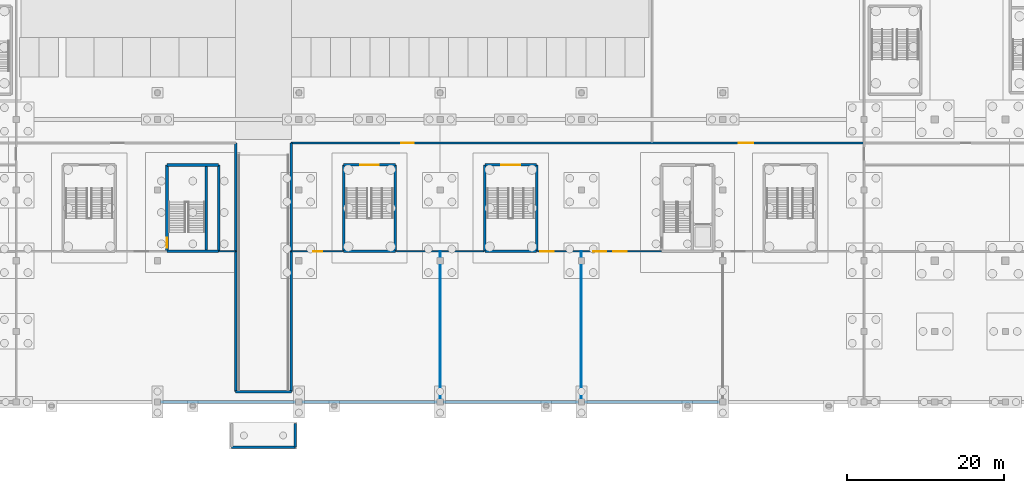
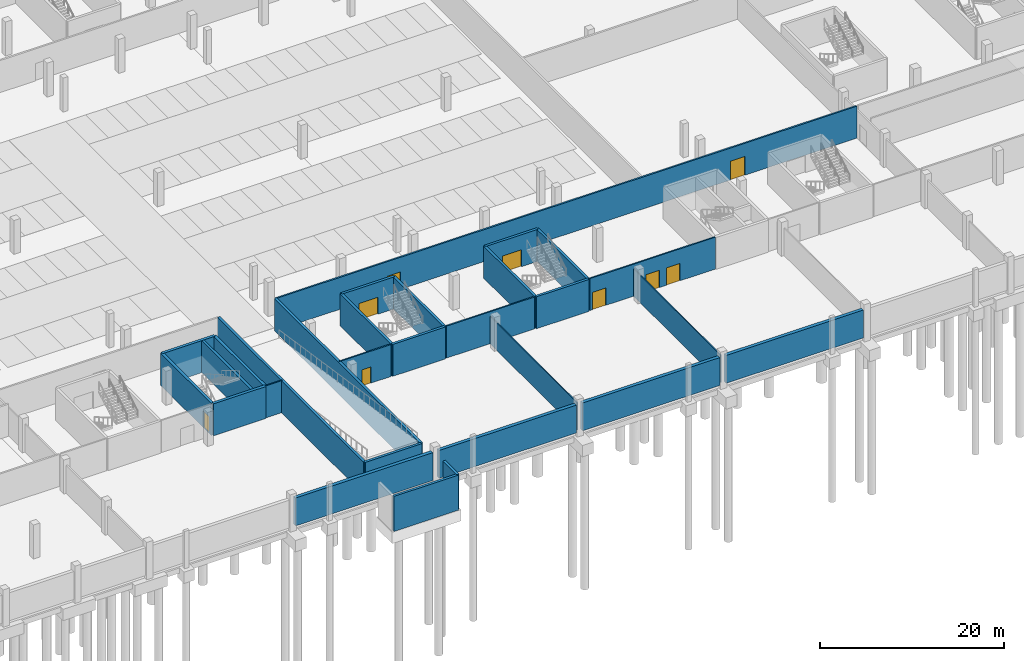
# One storey, part 16 of 46: 29 walls, 9 doors, 9 openings.
"""IFC4 building model written with IfcOpenShell, lengths in metres."""

from ifc_helpers import new_model, si_unit, direction, frame, frame_2d, origin, place, context, subcontext, project, spatial, rectangle, extrude, material, layer, layer_set, type_object, element, fill, save


model = new_model("IFC4")

# Units and contexts
model_context = context("Model", 3, precision=1e-05, world=origin(), true_north=direction((0.0, 1.0)))
body_context = subcontext(model_context, "Body", "Model", "MODEL_VIEW")
ifc_project = project(units=[si_unit("LENGTHUNIT", "METRE"), si_unit("AREAUNIT", "SQUARE_METRE"), si_unit("VOLUMEUNIT", "CUBIC_METRE"), si_unit("PLANEANGLEUNIT", "RADIAN"), si_unit("MASSUNIT", "GRAM", prefix="KILO")], contexts=[model_context])

# Site, building, storey
site_placement = place(None, origin())
site = spatial("IfcSite", under=ifc_project, at=site_placement, CompositionType="ELEMENT")
building_placement = place(site_placement, origin())
building = spatial("IfcBuilding", under=site, at=building_placement, Name="Kisiwana Market Hall", CompositionType="ELEMENT")
storey_placement = place(building_placement, frame((0.0, 0.0, -4.5)))
storey = spatial("IfcBuildingStorey", under=building, at=storey_placement, Name="B1", CompositionType="ELEMENT", Elevation=-4.5)

# Walls
ifc_material_1 = material(Name="Concrete C40/50", Category="concrete")
ifc_layer_1 = layer(ifc_material_1, 0.360107421875, Name="Waterproofed RC retaining wall")
ifc_material_2 = material(Name="Mineral wool insulation")
ifc_layer_2 = layer(ifc_material_2, 0.06005859375, Name="XPS drainage protection board")
ifc_layer_set_1 = layer_set([ifc_layer_1, ifc_layer_2], Name="WL-B1-RET-420")
wall_type_1 = type_object("IfcWallType", Name="WL-B1-RET-420", PredefinedType="STANDARD", material=ifc_layer_set_1)
for number, where, z_axis, x_axis, name in (
    (1, (63.39208984375, 0.0, 0.0), (0.0, 0.0, 1.0), (1.0, 0.0, 0.0), "Exterior wall W-0160"),
    (2, (81.39208984375, 0.0, 0.0), (0.0, 0.0, 1.0), (1.0, 0.0, 0.0), "Exterior wall W-0161"),
    (3, (99.39208984375, 0.0, 0.0), (0.0, 0.0, 1.0), (1.0, 0.0, 0.0), "Exterior wall W-0162"),
    (4, (117.39208984375, 0.0, 0.0), (0.0, 0.0, 1.0), (1.0, 0.0, 0.0), "Exterior wall W-0163"),
):
    element("IfcWall", number, at=place(storey_placement, frame(where, z_axis=z_axis, x_axis=x_axis)), inside=storey, type_object=wall_type_1, Name=name, PredefinedType="STANDARD", context=body_context, shape_type="SweptSolid", body=[
        extrude(rectangle(XDim=17.2158203125, YDim=0.419921875, at=frame_2d((8.60791015625, 0.0))), origin(), (0.0, 0.0, 1.0), 3.699951171875),
    ])

# Wall, openings, doors
ifc_material_3 = material(Name="Masonry blockwork", Category="masonry")
ifc_layer_3 = layer(ifc_material_3, 0.199951171875, Name="Plastered fire compartment block wall")
ifc_layer_set_2 = layer_set([ifc_layer_3], Name="WL-COMP-200")
wall_type_2 = type_object("IfcWallType", Name="WL-COMP-200", PredefinedType="PARTITIONING", material=ifc_layer_set_2)
wall_1_placement = place(storey_placement, frame((80.06005859375, 33.0, 0.0), z_axis=(0.0, 0.0, 1.0), x_axis=(1.0, 0.0, 0.0)))
wall_1 = element("IfcWall", 5, at=wall_1_placement, inside=storey, type_object=wall_type_2, Name="Interior partition W-0283", PredefinedType="PARTITIONING", context=body_context, shape_type="SweptSolid", body=[
    extrude(rectangle(XDim=72.85498046875, YDim=0.199951171875, at=frame_2d((36.427490234375, 0.0))), origin(), (0.0, 0.0, 1.0), 4.239990234375),
])
opening_1_placement = place(wall_1_placement, frame((14.0, 0.0, 0.0)))
opening_1 = element("IfcOpeningElement", 6, at=opening_1_placement, cuts=wall_1, Name="Opening DR-B1-086", PredefinedType="OPENING", context=body_context, shape_type="SweptSolid", body=[
    extrude(rectangle(XDim=1.60009765625, YDim=2.300048828125, at=frame_2d((0.800048828125, 1.14990234375))), frame((0.0, 0.11181640625, 0.0), z_axis=(0.0, -1.0, 0.0), x_axis=(1.0, 0.0, 0.0)), (0.0, 0.0, 1.0), 0.223876953125),
])
opening_2_placement = place(wall_1_placement, frame((57.0, 0.0, 0.0)))
opening_2 = element("IfcOpeningElement", 7, at=opening_2_placement, cuts=wall_1, Name="Opening DR-B1-087", PredefinedType="OPENING", context=body_context, shape_type="SweptSolid", body=[
    extrude(rectangle(XDim=1.800048828125, YDim=2.5, at=frame_2d((0.89990234375, 1.25))), frame((0.0, 0.11181640625, 0.0), z_axis=(0.0, -1.0, 0.0), x_axis=(1.0, 0.0, 0.0)), (0.0, 0.0, 1.0), 0.223876953125),
])
ifc_material_4 = material(Name="Steel S275", Category="steel")
door_type_1 = type_object("IfcDoorType", Name="DR-COLD-FD60-1800", OperationType="SLIDING_TO_LEFT", PredefinedType="DOOR", material=ifc_material_4)
door_1_placement = place(opening_2_placement, origin())
door_1 = element("IfcDoor", 8, at=door_1_placement, inside=storey, type_object=door_type_1, Name="B1 Frozen Meat Cold Store Door", OperationType="SLIDING_TO_LEFT", OverallHeight=2.5, OverallWidth=1.800048828125, PredefinedType="DOOR", context=body_context, shape_type="SweptSolid", body=[
    extrude(rectangle(XDim=1.800048828125, YDim=2.5, at=frame_2d((0.89990234375, 1.25))), frame((0.0, 0.02490234375, 0.0), z_axis=(0.0, -1.0, 0.0), x_axis=(1.0, 0.0, 0.0)), (0.0, 0.0, 1.0), 0.050048828125),
])
fill(opening_2, door_1)
ifc_material_5 = material(Name="Steel S275", Category="steel")
door_type_2 = type_object("IfcDoorType", Name="DR-PLANT-FD120-1600", OperationType="DOUBLE_DOOR_SINGLE_SWING", PredefinedType="DOOR", material=ifc_material_5)
door_2_placement = place(opening_1_placement, origin())
door_2 = element("IfcDoor", 9, at=door_2_placement, inside=storey, type_object=door_type_2, Name="B1 Car Park SE Lobby Door", OperationType="DOUBLE_DOOR_SINGLE_SWING", OverallHeight=2.300048828125, OverallWidth=1.60009765625, PredefinedType="DOOR", context=body_context, shape_type="SweptSolid", body=[
    extrude(rectangle(XDim=1.60009765625, YDim=2.300048828125, at=frame_2d((0.800048828125, 1.14990234375))), frame((0.0, 0.02490234375, 0.0), z_axis=(0.0, -1.0, 0.0), x_axis=(1.0, 0.0, 0.0)), (0.0, 0.0, 1.0), 0.050048828125),
])
fill(opening_1, door_2)

# Walls
ifc_material_6 = material(Name="Concrete C40/50", Category="concrete")
ifc_layer_4 = layer(ifc_material_6, 0.320068359375, Name="Reinforced concrete shaft wall")
ifc_layer_set_3 = layer_set([ifc_layer_4], Name="WL-CORE-320")
wall_type_3 = type_object("IfcWallType", Name="WL-CORE-320", PredefinedType="SHEAR", material=ifc_layer_set_3)
wall_2_placement = place(storey_placement, frame((80.550048828125, -5.75, -0.449951171875), z_axis=(0.0, 0.0, 1.0), x_axis=(0.0, 1.0, 0.0)))
element("IfcWall", 10, at=wall_2_placement, inside=storey, type_object=wall_type_3, Name="Vehicle apron support wall E W-0293", PredefinedType="SHEAR", context=body_context, shape_type="SweptSolid", body=[
    extrude(rectangle(XDim=3.0, YDim=0.320068359375, at=frame_2d((1.5, 0.0))), origin(), (0.0, 0.0, 1.0), 4.64990234375),
])
wall_3_placement = place(storey_placement, frame((72.449951171875, -5.75, -0.449951171875), z_axis=(0.0, 0.0, 1.0), x_axis=(1.0, 0.0, 0.0)))
element("IfcWall", 11, at=wall_3_placement, inside=storey, type_object=wall_type_3, Name="Vehicle apron support wall S W-0294", PredefinedType="SHEAR", context=body_context, shape_type="SweptSolid", body=[
    extrude(rectangle(XDim=8.10009765625, YDim=0.320068359375, at=frame_2d((4.050048828125, 0.0))), origin(), (0.0, 0.0, 1.0), 4.64990234375),
])
for number, where, z_axis, x_axis, name in (
    (12, (72.93994140625, 1.340087890625, 0.0), (0.0, 0.0, 1.0), (0.0, 1.0, 0.0), "B1 vehicle ramp structural wall W W-0334"),
    (13, (80.06005859375, 1.340087890625, 0.0), (0.0, 0.0, 1.0), (0.0, 1.0, 0.0), "B1 vehicle ramp structural wall E W-0332"),
):
    element("IfcWall", number, at=place(storey_placement, frame(where, z_axis=z_axis, x_axis=x_axis)), inside=storey, type_object=wall_type_3, Name=name, PredefinedType="SHEAR", context=body_context, shape_type="SweptSolid", body=[
        extrude(rectangle(XDim=31.659912109375, YDim=0.320068359375, at=frame_2d((15.830078125, 0.0))), origin(), (0.0, 0.0, 1.0), 4.239990234375),
    ])
wall_4_placement = place(storey_placement, frame((72.93994140625, 1.340087890625, 0.0), z_axis=(0.0, 0.0, 1.0), x_axis=(1.0, 0.0, 0.0)))
element("IfcWall", 14, at=wall_4_placement, inside=storey, type_object=wall_type_3, Name="B1 vehicle ramp structural wall HEAD W-0333", PredefinedType="SHEAR", context=body_context, shape_type="SweptSolid", body=[
    extrude(rectangle(XDim=7.1201171875, YDim=0.320068359375, at=frame_2d((3.56005859375, 0.0))), origin(), (0.0, 0.0, 1.0), 4.239990234375),
])
wall_5_placement = place(storey_placement, frame((69.239990234375, 19.3798828125, 0.0), z_axis=(0.0, 0.0, 1.0), x_axis=(0.0, 1.0, 0.0)))
element("IfcWall", 15, at=wall_5_placement, inside=storey, type_object=wall_type_3, Name="Core S1 shaft divider W-0041", PredefinedType="SHEAR", context=body_context, shape_type="SweptSolid", body=[
    extrude(rectangle(XDim=10.64013671875, YDim=0.320068359375, at=frame_2d((5.320068359375, 0.0))), origin(), (0.0, 0.0, 1.0), 4.239990234375),
])
wall_6_placement = place(storey_placement, frame((86.699951171875, 19.199951171875, 0.0), z_axis=(0.0, 0.0, 1.0), x_axis=(1.0, 0.0, 0.0)))
element("IfcWall", 16, at=wall_6_placement, inside=storey, type_object=wall_type_3, Name="Core S4 outer shear wall W-0131", PredefinedType="SHEAR", context=body_context, shape_type="SweptSolid", body=[
    extrude(rectangle(XDim=6.60009765625, YDim=0.320068359375, at=frame_2d((3.300048828125, 0.0))), origin(), (0.0, 0.0, 1.0), 4.239990234375),
])

# Wall, opening, door
wall_7_placement = place(storey_placement, frame((86.699951171875, 30.199951171875, 0.0), z_axis=(0.0, 0.0, 1.0), x_axis=(1.0, 0.0, 0.0)))
wall_7 = element("IfcWall", 17, at=wall_7_placement, inside=storey, type_object=wall_type_3, Name="Core S4 corridor shear wall W-0132", PredefinedType="SHEAR", context=body_context, shape_type="SweptSolid", body=[
    extrude(rectangle(XDim=6.60009765625, YDim=0.320068359375, at=frame_2d((3.300048828125, 0.0))), origin(), (0.0, 0.0, 1.0), 4.239990234375),
])
opening_3_placement = place(wall_7_placement, frame((2.10009765625, 0.0, 0.0)))
opening_3 = element("IfcOpeningElement", 18, at=opening_3_placement, cuts=wall_7, Name="Opening DR-B1-035", PredefinedType="OPENING", context=body_context, shape_type="SweptSolid", body=[
    extrude(rectangle(XDim=2.39990234375, YDim=2.25, at=frame_2d((1.199951171875, 1.125))), frame((0.0, 0.171875, 0.0), z_axis=(0.0, -1.0, 0.0), x_axis=(1.0, 0.0, 0.0)), (0.0, 0.0, 1.0), 0.343994140625),
])
ifc_material_7 = material(Name="Steel S275", Category="steel")
door_type_3 = type_object("IfcDoorType", Name="DR-STAIR-FD120-2400", OperationType="DOUBLE_DOOR_SINGLE_SWING", PredefinedType="DOOR", material=ifc_material_7)
door_3_placement = place(opening_3_placement, frame((2.39990234375, 0.0, 0.0), z_axis=(0.0, 0.0, 1.0), x_axis=(-1.0, 0.0, 0.0)))
door_3 = element("IfcDoor", 19, at=door_3_placement, inside=storey, type_object=door_type_3, Name="Escape Stair S4 Fire Door (B1)", OperationType="DOUBLE_DOOR_SINGLE_SWING", OverallHeight=2.25, OverallWidth=2.39990234375, PredefinedType="DOOR", context=body_context, shape_type="SweptSolid", body=[
    extrude(rectangle(XDim=2.39990234375, YDim=2.25, at=frame_2d((1.199951171875, 1.125))), frame((0.0, 0.02490234375, 0.0), z_axis=(0.0, -1.0, 0.0), x_axis=(1.0, 0.0, 0.0)), (0.0, 0.0, 1.0), 0.050048828125),
])
fill(opening_3, door_3)

# Walls
for number, where, z_axis, x_axis, name in (
    (20, (86.699951171875, 19.199951171875, 0.0), (0.0, 0.0, 1.0), (0.0, 1.0, 0.0), "Core S4 west shear wall W-0133"),
    (21, (93.300048828125, 19.199951171875, 0.0), (0.0, 0.0, 1.0), (0.0, 1.0, 0.0), "Core S4 east shear wall W-0134"),
):
    element("IfcWall", number, at=place(storey_placement, frame(where, z_axis=z_axis, x_axis=x_axis)), inside=storey, type_object=wall_type_3, Name=name, PredefinedType="SHEAR", context=body_context, shape_type="SweptSolid", body=[
        extrude(rectangle(XDim=11.0, YDim=0.320068359375, at=frame_2d((5.5, 0.0))), origin(), (0.0, 0.0, 1.0), 4.239990234375),
    ])
wall_8_placement = place(storey_placement, frame((104.699951171875, 19.199951171875, 0.0), z_axis=(0.0, 0.0, 1.0), x_axis=(1.0, 0.0, 0.0)))
element("IfcWall", 22, at=wall_8_placement, inside=storey, type_object=wall_type_3, Name="Core S5 outer shear wall W-0139", PredefinedType="SHEAR", context=body_context, shape_type="SweptSolid", body=[
    extrude(rectangle(XDim=6.60009765625, YDim=0.320068359375, at=frame_2d((3.300048828125, 0.0))), origin(), (0.0, 0.0, 1.0), 4.239990234375),
])

# Wall, opening, door
wall_9_placement = place(storey_placement, frame((104.699951171875, 30.199951171875, 0.0), z_axis=(0.0, 0.0, 1.0), x_axis=(1.0, 0.0, 0.0)))
wall_9 = element("IfcWall", 23, at=wall_9_placement, inside=storey, type_object=wall_type_3, Name="Core S5 corridor shear wall W-0140", PredefinedType="SHEAR", context=body_context, shape_type="SweptSolid", body=[
    extrude(rectangle(XDim=6.60009765625, YDim=0.320068359375, at=frame_2d((3.300048828125, 0.0))), origin(), (0.0, 0.0, 1.0), 4.239990234375),
])
opening_4_placement = place(wall_9_placement, frame((2.10009765625, 0.0, 0.0)))
opening_4 = element("IfcOpeningElement", 24, at=opening_4_placement, cuts=wall_9, Name="Opening DR-B1-037", PredefinedType="OPENING", context=body_context, shape_type="SweptSolid", body=[
    extrude(rectangle(XDim=2.39990234375, YDim=2.25, at=frame_2d((1.199951171875, 1.125))), frame((0.0, 0.171875, 0.0), z_axis=(0.0, -1.0, 0.0), x_axis=(1.0, 0.0, 0.0)), (0.0, 0.0, 1.0), 0.343994140625),
])
door_4_placement = place(opening_4_placement, frame((2.39990234375, 0.0, 0.0), z_axis=(0.0, 0.0, 1.0), x_axis=(-1.0, 0.0, 0.0)))
door_4 = element("IfcDoor", 25, at=door_4_placement, inside=storey, type_object=door_type_3, Name="Escape Stair S5 Fire Door (B1)", OperationType="DOUBLE_DOOR_SINGLE_SWING", OverallHeight=2.25, OverallWidth=2.39990234375, PredefinedType="DOOR", context=body_context, shape_type="SweptSolid", body=[
    extrude(rectangle(XDim=2.39990234375, YDim=2.25, at=frame_2d((1.199951171875, 1.125))), frame((0.0, 0.02490234375, 0.0), z_axis=(0.0, -1.0, 0.0), x_axis=(1.0, 0.0, 0.0)), (0.0, 0.0, 1.0), 0.050048828125),
])
fill(opening_4, door_4)

# Walls
for number, where, z_axis, x_axis, name in (
    (26, (104.699951171875, 19.199951171875, 0.0), (0.0, 0.0, 1.0), (0.0, 1.0, 0.0), "Core S5 west shear wall W-0141"),
    (27, (111.300048828125, 19.199951171875, 0.0), (0.0, 0.0, 1.0), (0.0, 1.0, 0.0), "Core S5 east shear wall W-0142"),
):
    element("IfcWall", number, at=place(storey_placement, frame(where, z_axis=z_axis, x_axis=x_axis)), inside=storey, type_object=wall_type_3, Name=name, PredefinedType="SHEAR", context=body_context, shape_type="SweptSolid", body=[
        extrude(rectangle(XDim=11.0, YDim=0.320068359375, at=frame_2d((5.5, 0.0))), origin(), (0.0, 0.0, 1.0), 4.239990234375),
    ])
ifc_material_8 = material(Name="Concrete C40/50", Category="concrete")
ifc_layer_5 = layer(ifc_material_8, 0.360107421875, Name="Reinforced concrete core wall")
ifc_layer_set_4 = layer_set([ifc_layer_5], Name="WL-CORE-360")
wall_type_4 = type_object("IfcWallType", Name="WL-CORE-360", PredefinedType="SHEAR", material=ifc_layer_set_4)
for number, where, z_axis, x_axis, name in (
    (28, (64.199951171875, 19.199951171875, 0.0), (0.0, 0.0, 1.0), (1.0, 0.0, 0.0), "Core S1 south wall W-0037"),
    (29, (64.199951171875, 30.199951171875, 0.0), (0.0, 0.0, 1.0), (1.0, 0.0, 0.0), "Core S1 north wall W-0038"),
):
    element("IfcWall", number, at=place(storey_placement, frame(where, z_axis=z_axis, x_axis=x_axis)), inside=storey, type_object=wall_type_4, Name=name, PredefinedType="SHEAR", context=body_context, shape_type="SweptSolid", body=[
        extrude(rectangle(XDim=6.60009765625, YDim=0.360107421875, at=frame_2d((3.300048828125, 0.0))), origin(), (0.0, 0.0, 1.0), 4.239990234375),
    ])

# Wall, opening, door
wall_10_placement = place(storey_placement, frame((64.199951171875, 19.199951171875, 0.0), z_axis=(0.0, 0.0, 1.0), x_axis=(0.0, 1.0, 0.0)))
wall_10 = element("IfcWall", 30, at=wall_10_placement, inside=storey, type_object=wall_type_4, Name="Core S1 west wall W-0039", PredefinedType="SHEAR", context=body_context, shape_type="SweptSolid", body=[
    extrude(rectangle(XDim=11.0, YDim=0.360107421875, at=frame_2d((5.5, 0.0))), origin(), (0.0, 0.0, 1.0), 4.239990234375),
])
opening_5_placement = place(wall_10_placement, frame((0.449951171875, 0.0, 0.0)))
opening_5 = element("IfcOpeningElement", 31, at=opening_5_placement, cuts=wall_10, Name="Opening DR-B1-013", PredefinedType="OPENING", context=body_context, shape_type="SweptSolid", body=[
    extrude(rectangle(XDim=1.300048828125, YDim=2.199951171875, at=frame_2d((0.64990234375, 1.10009765625))), frame((0.0, 0.19189453125, 0.0), z_axis=(0.0, -1.0, 0.0), x_axis=(1.0, 0.0, 0.0)), (0.0, 0.0, 1.0), 0.384033203125),
])
ifc_material_9 = material(Name="Steel S275", Category="steel")
door_type_4 = type_object("IfcDoorType", Name="DR-STAIR-FD120-1300", OperationType="NOTDEFINED", PredefinedType="DOOR", material=ifc_material_9)
door_5_placement = place(opening_5_placement, origin())
door_5 = element("IfcDoor", 32, at=door_5_placement, inside=storey, type_object=door_type_4, Name="Podium Escape Stair S1 Fire Door (B1)", OperationType="SINGLE_SWING_LEFT", OverallHeight=2.199951171875, OverallWidth=1.300048828125, PredefinedType="DOOR", context=body_context, shape_type="SweptSolid", body=[
    extrude(rectangle(XDim=1.300048828125, YDim=2.199951171875, at=frame_2d((0.64990234375, 1.10009765625))), frame((0.0, 0.02490234375, 0.0), z_axis=(0.0, -1.0, 0.0), x_axis=(1.0, 0.0, 0.0)), (0.0, 0.0, 1.0), 0.050048828125),
])
fill(opening_5, door_5)

# Walls
wall_11_placement = place(storey_placement, frame((70.800048828125, 19.199951171875, 0.0), z_axis=(0.0, 0.0, 1.0), x_axis=(0.0, 1.0, 0.0)))
element("IfcWall", 33, at=wall_11_placement, inside=storey, type_object=wall_type_4, Name="Core S1 east wall W-0040", PredefinedType="SHEAR", context=body_context, shape_type="SweptSolid", body=[
    extrude(rectangle(XDim=11.0, YDim=0.360107421875, at=frame_2d((5.5, 0.0))), origin(), (0.0, 0.0, 1.0), 4.239990234375),
])
ifc_material_10 = material(Name="Masonry blockwork", Category="masonry")
ifc_layer_6 = layer(ifc_material_10, 0.169921875, Name="Protected corridor partition")
ifc_layer_set_5 = layer_set([ifc_layer_6], Name="WL-CORR-170")
wall_type_5 = type_object("IfcWallType", Name="WL-CORR-170", PredefinedType="PARTITIONING", material=ifc_layer_set_5)
wall_12_placement = place(storey_placement, frame((70.800048828125, 19.199951171875, 0.0), z_axis=(0.0, 0.0, 1.0), x_axis=(1.0, 0.0, 0.0)))
element("IfcWall", 34, at=wall_12_placement, inside=storey, type_object=wall_type_5, Name="Interior partition W-0274", PredefinedType="PARTITIONING", context=body_context, shape_type="SweptSolid", body=[
    extrude(rectangle(XDim=2.139892578125, YDim=0.169921875, at=frame_2d((1.06982421875, 0.0))), origin(), (0.0, 0.0, 1.0), 4.239990234375),
])

# Wall, opening, door
wall_13_placement = place(storey_placement, frame((80.06005859375, 19.199951171875, 0.0), z_axis=(0.0, 0.0, 1.0), x_axis=(1.0, 0.0, 0.0)))
wall_13 = element("IfcWall", 35, at=wall_13_placement, inside=storey, type_object=wall_type_5, Name="Interior partition W-0275", PredefinedType="PARTITIONING", context=body_context, shape_type="SweptSolid", body=[
    extrude(rectangle(XDim=6.47998046875, YDim=0.169921875, at=frame_2d((3.239990234375, 0.0))), origin(), (0.0, 0.0, 1.0), 4.239990234375),
])
opening_6_placement = place(wall_13_placement, frame((2.7900390625, 0.0, 0.0)))
opening_6 = element("IfcOpeningElement", 36, at=opening_6_placement, cuts=wall_13, Name="Opening DR-B1-080", PredefinedType="OPENING", context=body_context, shape_type="SweptSolid", body=[
    extrude(rectangle(XDim=1.14990234375, YDim=2.14990234375, at=frame_2d((0.574951171875, 1.074951171875))), frame((0.0, 0.096923828125, 0.0), z_axis=(0.0, -1.0, 0.0), x_axis=(1.0, 0.0, 0.0)), (0.0, 0.0, 1.0), 0.19384765625),
])
ifc_material_11 = material(Name="Aluminium alloy 6063-T6", Category="aluminium")
door_type_5 = type_object("IfcDoorType", Name="DR-MEET-1150", OperationType="NOTDEFINED", PredefinedType="DOOR", material=ifc_material_11)
door_6_placement = place(opening_6_placement, origin())
door_6 = element("IfcDoor", 37, at=door_6_placement, inside=storey, type_object=door_type_5, Name="B1 W Lower Ground Retail Shop 03 Door", OperationType="SINGLE_SWING_LEFT", OverallHeight=2.14990234375, OverallWidth=1.14990234375, PredefinedType="DOOR", context=body_context, shape_type="SweptSolid", body=[
    extrude(rectangle(XDim=1.14990234375, YDim=2.14990234375, at=frame_2d((0.574951171875, 1.074951171875))), frame((0.0, 0.02490234375, 0.0), z_axis=(0.0, -1.0, 0.0), x_axis=(1.0, 0.0, 0.0)), (0.0, 0.0, 1.0), 0.050048828125),
])
fill(opening_6, door_6)

# Wall
wall_14_placement = place(storey_placement, frame((93.4599609375, 19.199951171875, 0.0), z_axis=(0.0, 0.0, 1.0), x_axis=(1.0, 0.0, 0.0)))
element("IfcWall", 38, at=wall_14_placement, inside=storey, type_object=wall_type_5, Name="Interior partition W-0276", PredefinedType="PARTITIONING", context=body_context, shape_type="SweptSolid", body=[
    extrude(rectangle(XDim=11.080078125, YDim=0.169921875, at=frame_2d((5.5400390625, 0.0))), origin(), (0.0, 0.0, 1.0), 4.239990234375),
])

# Wall, openings, doors
wall_15_placement = place(storey_placement, frame((111.4599609375, 19.199951171875, 0.0), z_axis=(0.0, 0.0, 1.0), x_axis=(1.0, 0.0, 0.0)))
wall_15 = element("IfcWall", 39, at=wall_15_placement, inside=storey, type_object=wall_type_5, Name="Interior partition W-0277", PredefinedType="PARTITIONING", context=body_context, shape_type="SweptSolid", body=[
    extrude(rectangle(XDim=15.739990234375, YDim=0.169921875, at=frame_2d((7.8701171875, 0.0))), origin(), (0.0, 0.0, 1.0), 4.239990234375),
])
opening_7_placement = place(wall_15_placement, frame((9.60009765625, 0.0, 0.0)))
opening_7 = element("IfcOpeningElement", 40, at=opening_7_placement, cuts=wall_15, Name="Opening DR-B1-081", PredefinedType="OPENING", context=body_context, shape_type="SweptSolid", body=[
    extrude(rectangle(XDim=1.699951171875, YDim=2.300048828125, at=frame_2d((0.85009765625, 1.14990234375))), frame((0.0, 0.096923828125, 0.0), z_axis=(0.0, -1.0, 0.0), x_axis=(1.0, 0.0, 0.0)), (0.0, 0.0, 1.0), 0.19384765625),
])
opening_8_placement = place(wall_15_placement, frame((7.02001953125, 0.0, 0.0)))
opening_8 = element("IfcOpeningElement", 41, at=opening_8_placement, cuts=wall_15, Name="Opening DR-B1-082", PredefinedType="OPENING", context=body_context, shape_type="SweptSolid", body=[
    extrude(rectangle(XDim=1.699951171875, YDim=2.300048828125, at=frame_2d((0.85009765625, 1.14990234375))), frame((0.0, 0.096923828125, 0.0), z_axis=(0.0, -1.0, 0.0), x_axis=(1.0, 0.0, 0.0)), (0.0, 0.0, 1.0), 0.19384765625),
])
opening_9_placement = place(wall_15_placement, frame((0.300048828125, 0.0, 0.0)))
opening_9 = element("IfcOpeningElement", 42, at=opening_9_placement, cuts=wall_15, Name="Opening DR-B1-083", PredefinedType="OPENING", context=body_context, shape_type="SweptSolid", body=[
    extrude(rectangle(XDim=1.699951171875, YDim=2.300048828125, at=frame_2d((0.85009765625, 1.14990234375))), frame((0.0, 0.096923828125, 0.0), z_axis=(0.0, -1.0, 0.0), x_axis=(1.0, 0.0, 0.0)), (0.0, 0.0, 1.0), 0.19384765625),
])
ifc_material_12 = material(Name="Aluminium alloy 6063-T6", Category="aluminium")
door_type_6 = type_object("IfcDoorType", Name="DR-SHOP-1700", OperationType="DOUBLE_DOOR_SINGLE_SWING", PredefinedType="DOOR", material=ifc_material_12)
door_7_placement = place(opening_7_placement, origin())
door_7 = element("IfcDoor", 43, at=door_7_placement, inside=storey, type_object=door_type_6, Name="B1 Shop 05 Door", OperationType="DOUBLE_DOOR_SINGLE_SWING", OverallHeight=2.300048828125, OverallWidth=1.699951171875, PredefinedType="DOOR", context=body_context, shape_type="SweptSolid", body=[
    extrude(rectangle(XDim=1.699951171875, YDim=2.300048828125, at=frame_2d((0.85009765625, 1.14990234375))), frame((0.0, 0.02490234375, 0.0), z_axis=(0.0, -1.0, 0.0), x_axis=(1.0, 0.0, 0.0)), (0.0, 0.0, 1.0), 0.050048828125),
])
fill(opening_7, door_7)
door_8_placement = place(opening_8_placement, origin())
door_8 = element("IfcDoor", 44, at=door_8_placement, inside=storey, type_object=door_type_6, Name="B1 Shop 03 Door", OperationType="DOUBLE_DOOR_SINGLE_SWING", OverallHeight=2.300048828125, OverallWidth=1.699951171875, PredefinedType="DOOR", context=body_context, shape_type="SweptSolid", body=[
    extrude(rectangle(XDim=1.699951171875, YDim=2.300048828125, at=frame_2d((0.85009765625, 1.14990234375))), frame((0.0, 0.02490234375, 0.0), z_axis=(0.0, -1.0, 0.0), x_axis=(1.0, 0.0, 0.0)), (0.0, 0.0, 1.0), 0.050048828125),
])
fill(opening_8, door_8)
door_9_placement = place(opening_9_placement, origin())
door_9 = element("IfcDoor", 45, at=door_9_placement, inside=storey, type_object=door_type_6, Name="B1 Shop 04 Door", OperationType="DOUBLE_DOOR_SINGLE_SWING", OverallHeight=2.300048828125, OverallWidth=1.699951171875, PredefinedType="DOOR", context=body_context, shape_type="SweptSolid", body=[
    extrude(rectangle(XDim=1.699951171875, YDim=2.300048828125, at=frame_2d((0.85009765625, 1.14990234375))), frame((0.0, 0.02490234375, 0.0), z_axis=(0.0, -1.0, 0.0), x_axis=(1.0, 0.0, 0.0)), (0.0, 0.0, 1.0), 0.050048828125),
])
fill(opening_9, door_9)

# Walls
ifc_material_13 = material(Name="Gypsum plasterboard")
ifc_layer_7 = layer(ifc_material_13, 0.125, Name="Double gypsum board + acoustic stud")
ifc_layer_set_6 = layer_set([ifc_layer_7], Name="WL-OFF-125")
wall_type_6 = type_object("IfcWallType", Name="WL-OFF-125", PredefinedType="PARTITIONING", material=ifc_layer_set_6)
for number, where, z_axis, x_axis, name in (
    (46, (99.0, 0.2099609375, 0.0), (0.0, 0.0, 1.0), (0.0, 1.0, 0.0), "Interior partition W-0269"),
    (47, (117.0, 0.2099609375, 0.0), (0.0, 0.0, 1.0), (0.0, 1.0, 0.0), "Interior partition W-0270"),
):
    element("IfcWall", number, at=place(storey_placement, frame(where, z_axis=z_axis, x_axis=x_axis)), inside=storey, type_object=wall_type_6, Name=name, PredefinedType="PARTITIONING", context=body_context, shape_type="SweptSolid", body=[
        extrude(rectangle(XDim=18.989990234375, YDim=0.125, at=frame_2d((9.4951171875, 0.0))), origin(), (0.0, 0.0, 1.0), 3.627685546875),
    ])

save(model, "model.ifc")
